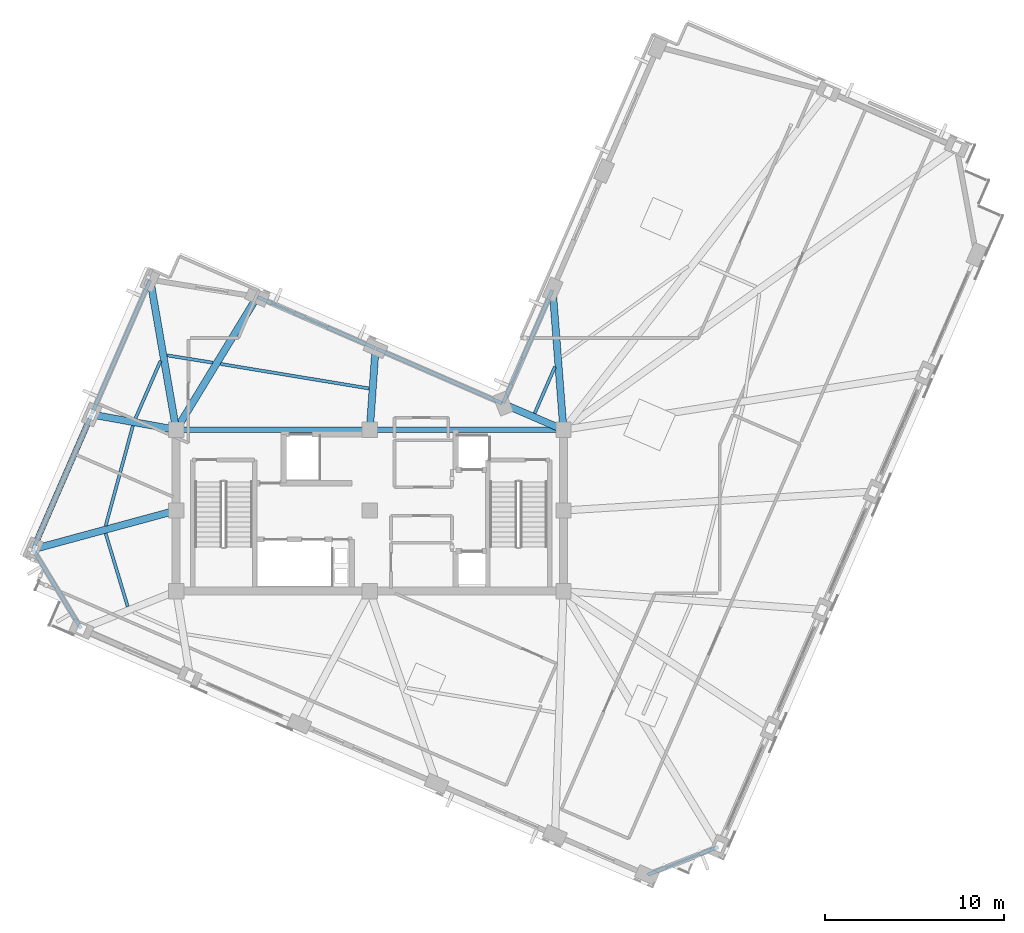
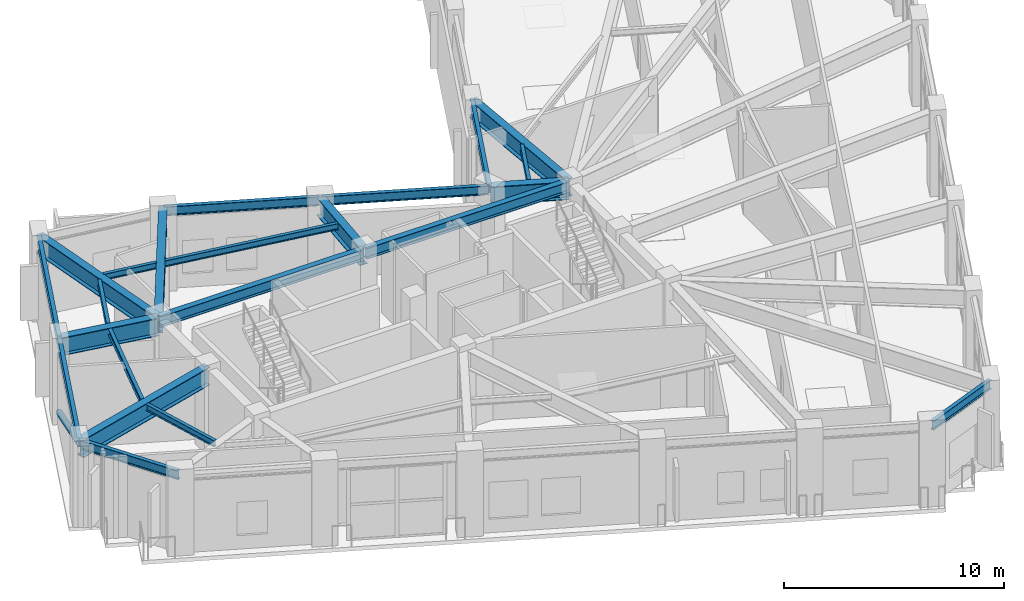
# One storey, part 3 of 16: 22 beams, 1 member.
"""IFC4 building model written with IfcOpenShell, lengths in metres."""

from ifc_helpers import new_model, si_unit, direction, frame, origin, origin_2d, place, context, subcontext, project, spatial, hollow_circle, i_section, extrude, material, material_profile, profile_set, type_object, element, save


model = new_model("IFC4")

# Units and contexts
model_context = context("Model", 3, precision=1e-05, world=origin(), true_north=direction((0.0, 1.0)))
body_context = subcontext(model_context, "Body", "Model", "MODEL_VIEW")
ifc_project = project(units=[si_unit("LENGTHUNIT", "METRE"), si_unit("AREAUNIT", "SQUARE_METRE"), si_unit("VOLUMEUNIT", "CUBIC_METRE"), si_unit("PLANEANGLEUNIT", "RADIAN"), si_unit("MASSUNIT", "GRAM", prefix="KILO")], contexts=[model_context])

# Site, building, storey
site_placement = place(None, origin())
site = spatial("IfcSite", under=ifc_project, at=site_placement, CompositionType="ELEMENT")
building_placement = place(site_placement, origin())
building = spatial("IfcBuilding", under=site, at=building_placement, Name="Gaonmaruhae Medical Tower", CompositionType="ELEMENT")
storey_placement = place(building_placement, frame((0.0, 0.0, 333.39990234375)))
storey = spatial("IfcBuildingStorey", under=building, at=storey_placement, Name="L80", CompositionType="ELEMENT", Elevation=333.39990234375)

# Beams
ifc_material_1 = material(Name="Steel SM420", Category="steel")
ifc_material_profile_1 = material_profile(ifc_material_1, i_section(OverallWidth=0.39990234375, OverallDepth=1.0, WebThickness=0.02197265625, FlangeThickness=0.035888671875, at=origin_2d()), Name="BH-1000x400x22x36")
ifc_profile_set_1 = profile_set([ifc_material_profile_1], Name="Steel SM420")
beam_type_1 = type_object("IfcBeamType", Name="BG-02 Refuge Floor Primary Girder (BH-1000x400x22x36)", PredefinedType="BEAM", material=ifc_profile_set_1)
beam_1_placement = place(storey_placement, frame((35.59619140625, 16.849853515625, 4.0), z_axis=(-0.076722992115, 0.997052447207, 0.0), x_axis=(-0.997052447207, -0.076722992115, 0.0)))
element("IfcBeam", 1, at=beam_1_placement, inside=storey, type_object=beam_type_1, Name="L80 Radial Primary Girder EN02", PredefinedType="BEAM", context=body_context, shape_type="SweptSolid", body=[
    extrude(i_section(OverallWidth=0.39990234375, OverallDepth=1.0, WebThickness=0.02197265625, FlangeThickness=0.035888671875, at=origin_2d()), origin(), (0.0, 0.0, 1.0), 7.751708984375),
])
beam_2_placement = place(storey_placement, frame((35.55419921875, 16.81982421875, 4.0), z_axis=(-0.918259431029, 0.395979314266, 0.0), x_axis=(-0.395979314266, -0.918259431029, 0.0)))
element("IfcBeam", 2, at=beam_2_placement, inside=storey, type_object=beam_type_1, Name="L80 Radial Primary Girder KN01", PredefinedType="BEAM", context=body_context, shape_type="SweptSolid", body=[
    extrude(i_section(OverallWidth=0.39990234375, OverallDepth=1.0, WebThickness=0.02197265625, FlangeThickness=0.035888671875, at=origin_2d()), origin(), (0.0, 0.0, 1.0), 3.57421875),
])
beam_3_placement = place(storey_placement, frame((24.803466796875, 16.849853515625, 4.0), z_axis=(0.070012845455, 0.997546089898, 0.0), x_axis=(-0.997546089898, 0.070012845455, 0.0)))
element("IfcBeam", 3, at=beam_3_placement, inside=storey, type_object=beam_type_1, Name="L80 Radial Primary Girder NE01", PredefinedType="BEAM", context=body_context, shape_type="SweptSolid", body=[
    extrude(i_section(OverallWidth=0.39990234375, OverallDepth=1.0, WebThickness=0.02197265625, FlangeThickness=0.035888671875, at=origin_2d()), origin(), (0.0, 0.0, 1.0), 4.45654296875),
])
beam_4_placement = place(storey_placement, frame((14.026123046875, 16.8427734375, 4.0), z_axis=(0.520106658264, 0.854101319534, 0.0), x_axis=(-0.854101319534, 0.520106658264, 0.0)))
element("IfcBeam", 4, at=beam_4_placement, inside=storey, type_object=beam_type_1, Name="L80 Radial Primary Girder NE02", PredefinedType="BEAM", context=body_context, shape_type="SweptSolid", body=[
    extrude(i_section(OverallWidth=0.39990234375, OverallDepth=1.0, WebThickness=0.02197265625, FlangeThickness=0.035888671875, at=origin_2d()), origin(), (0.0, 0.0, 1.0), 8.5830078125),
])
beam_5_placement = place(storey_placement, frame((13.991455078125, 16.849365234375, 4.0), z_axis=(-0.170256429826, 0.985399791, 0.0), x_axis=(-0.985399791, -0.170256429826, 0.0)))
element("IfcBeam", 5, at=beam_5_placement, inside=storey, type_object=beam_type_1, Name="L80 Radial Primary Girder N01", PredefinedType="BEAM", context=body_context, shape_type="SweptSolid", body=[
    extrude(i_section(OverallWidth=0.39990234375, OverallDepth=1.0, WebThickness=0.02197265625, FlangeThickness=0.035888671875, at=origin_2d()), origin(), (0.0, 0.0, 1.0), 8.397216796875),
])
beam_6_placement = place(storey_placement, frame((13.95068359375, 16.808837890625, 4.0), z_axis=(-0.984016905829, 0.17807506575, 0.0), x_axis=(-0.17807506575, -0.984016905829, 0.0)))
element("IfcBeam", 6, at=beam_6_placement, inside=storey, type_object=beam_type_1, Name="L80 Radial Primary Girder N02", PredefinedType="BEAM", context=body_context, shape_type="SweptSolid", body=[
    extrude(i_section(OverallWidth=0.39990234375, OverallDepth=1.0, WebThickness=0.02197265625, FlangeThickness=0.035888671875, at=origin_2d()), origin(), (0.0, 0.0, 1.0), 4.69287109375),
])
beam_7_placement = place(storey_placement, frame((13.95166015625, 12.286865234375, 4.0), z_axis=(-0.965122679795, -0.261798038467, 0.0), x_axis=(0.261798038467, -0.965122679795, 0.0)))
element("IfcBeam", 7, at=beam_7_placement, inside=storey, type_object=beam_type_1, Name="L80 Radial Primary Girder N03", PredefinedType="BEAM", context=body_context, shape_type="SweptSolid", body=[
    extrude(i_section(OverallWidth=0.39990234375, OverallDepth=1.0, WebThickness=0.02197265625, FlangeThickness=0.035888671875, at=origin_2d()), origin(), (0.0, 0.0, 1.0), 8.1748046875),
])
ifc_material_2 = material(Name="Steel SM355", Category="steel")
ifc_material_profile_2 = material_profile(ifc_material_2, i_section(OverallWidth=0.175048828125, OverallDepth=0.35009765625, WebThickness=0.007080078125, FlangeThickness=0.010986328125, FilletRadius=0.012939453125, at=origin_2d()), Name="H-350x175x7x11")
ifc_profile_set_2 = profile_set([ifc_material_profile_2], Name="Steel SM355")
beam_type_2 = type_object("IfcBeamType", Name="FJ-02 Upper Zone Ward Floor Joist (H-350x175x7x11)", PredefinedType="JOIST", material=ifc_profile_set_2)
beam_8_placement = place(storey_placement, frame((35.1259765625, 20.31689453125, 4.3251953125), z_axis=(-0.398704074368, -0.917079637263, 0.0), x_axis=(0.917079637263, -0.398704074368, 0.0)))
element("IfcBeam", 8, at=beam_8_placement, inside=storey, type_object=beam_type_2, Name="L80 Secondary Floor Joist FJ08", PredefinedType="JOIST", context=body_context, shape_type="SweptSolid", body=[
    extrude(i_section(OverallWidth=0.175048828125, OverallDepth=0.35009765625, WebThickness=0.007080078125, FlangeThickness=0.010986328125, FilletRadius=0.012939453125, at=origin_2d()), origin(), (0.0, 0.0, 1.0), 2.835693359375),
])
beam_9_placement = place(storey_placement, frame((24.75537109375, 19.106201171875, 4.3251953125), z_axis=(-0.986663894193, 0.162770881598, 0.0), x_axis=(-0.162770881598, -0.986663894193, 0.0)))
element("IfcBeam", 9, at=beam_9_placement, inside=storey, type_object=beam_type_2, Name="L80 Secondary Floor Joist FJ10", PredefinedType="JOIST", context=body_context, shape_type="SweptSolid", body=[
    extrude(i_section(OverallWidth=0.175048828125, OverallDepth=0.35009765625, WebThickness=0.007080078125, FlangeThickness=0.010986328125, FilletRadius=0.012939453125, at=origin_2d()), origin(), (0.0, 0.0, 1.0), 8.390380859375),
])
beam_10_placement = place(storey_placement, frame((16.038818359375, 20.543212890625, 4.3251953125), z_axis=(-0.987360795074, 0.158488675779, 0.0), x_axis=(-0.158488675779, -0.987360795074, 0.0)))
element("IfcBeam", 10, at=beam_10_placement, inside=storey, type_object=beam_type_2, Name="L80 Secondary Floor Joist FJ11", PredefinedType="JOIST", context=body_context, shape_type="SweptSolid", body=[
    extrude(i_section(OverallWidth=0.175048828125, OverallDepth=0.35009765625, WebThickness=0.007080078125, FlangeThickness=0.010986328125, FilletRadius=0.012939453125, at=origin_2d()), origin(), (0.0, 0.0, 1.0), 2.580322265625),
])
beam_11_placement = place(storey_placement, frame((13.12890625, 20.64697265625, 4.3251953125), z_axis=(-0.398746411425, -0.917061229895, 0.0), x_axis=(0.917061229895, -0.398746411425, 0.0)))
element("IfcBeam", 11, at=beam_11_placement, inside=storey, type_object=beam_type_2, Name="L80 Secondary Floor Joist FJ12", PredefinedType="JOIST", context=body_context, shape_type="SweptSolid", body=[
    extrude(i_section(OverallWidth=0.175048828125, OverallDepth=0.35009765625, WebThickness=0.007080078125, FlangeThickness=0.010986328125, FilletRadius=0.012939453125, at=origin_2d()), origin(), (0.0, 0.0, 1.0), 3.51806640625),
])
beam_12_placement = place(storey_placement, frame((11.58740234375, 17.027099609375, 4.3251953125), z_axis=(-0.262477989376, -0.964937979921, 0.0), x_axis=(0.964937979921, -0.262477989376, 0.0)))
element("IfcBeam", 12, at=beam_12_placement, inside=storey, type_object=beam_type_2, Name="L80 Secondary Floor Joist FJ13", PredefinedType="JOIST", context=body_context, shape_type="SweptSolid", body=[
    extrude(i_section(OverallWidth=0.175048828125, OverallDepth=0.35009765625, WebThickness=0.007080078125, FlangeThickness=0.010986328125, FilletRadius=0.012939453125, at=origin_2d()), origin(), (0.0, 0.0, 1.0), 5.78369140625),
])
beam_13_placement = place(storey_placement, frame((10.06640625, 11.01953125, 4.3251953125), z_axis=(0.289103701868, -0.957297785209, 0.0), x_axis=(0.957297785209, 0.289103701868, 0.0)))
element("IfcBeam", 13, at=beam_13_placement, inside=storey, type_object=beam_type_2, Name="L80 Secondary Floor Joist FJ14", PredefinedType="JOIST", context=body_context, shape_type="SweptSolid", body=[
    extrude(i_section(OverallWidth=0.175048828125, OverallDepth=0.35009765625, WebThickness=0.007080078125, FlangeThickness=0.010986328125, FilletRadius=0.012939453125, at=origin_2d()), origin(), (0.0, 0.0, 1.0), 4.259521484375),
])

# Member
ifc_material_profile_3 = material_profile(ifc_material_2, hollow_circle(Radius=0.1591796875, WallThickness=0.01025390625, at=origin_2d()), Name="CHS-318.5x10.3")
ifc_profile_set_3 = profile_set([ifc_material_profile_3], Name="Steel SM355")
member_type = type_object("IfcMemberType", Name="PB-03 Perimeter Solid-Bay Tube Brace Upper (CHS-318.5x10.3)", PredefinedType="BRACE", material=ifc_profile_set_3)
member_placement = place(storey_placement, frame((9.283447265625, 17.653564453125, 0.25), z_axis=(-0.358382126508, -0.824228049032, 0.43841803634), x_axis=(0.917061062653, -0.398746796056, 0.0)))
element("IfcMember", 14, at=member_placement, inside=storey, type_object=member_type, Name="L80 Perimeter Tube Solid-Bay Brace N02-N03", PredefinedType="BRACE", context=body_context, shape_type="SweptSolid", body=[
    extrude(hollow_circle(Radius=0.1591796875, WallThickness=0.01025390625, at=origin_2d()), origin(), (0.0, 0.0, 1.0), 9.123779296875),
])

# Beams
ifc_material_profile_4 = material_profile(ifc_material_1, i_section(OverallWidth=0.300048828125, OverallDepth=0.60009765625, WebThickness=0.011962890625, FlangeThickness=0.02001953125, FilletRadius=0.012939453125, at=origin_2d()), Name="H-600x300x12x20")
ifc_profile_set_4 = profile_set([ifc_material_profile_4], Name="Steel SM420")
beam_type_3 = type_object("IfcBeamType", Name="PG-04 Zone 4 Radial Floor Girder (H-600x300x12x20)", PredefinedType="BEAM", material=ifc_profile_set_4)
for number, where, z_axis, x_axis, name in (
    (15, (14.050048828125, 16.800048828125, 4.2001953125), (1.0, 0.0, 0.0), (0.0, 1.0, 0.0), "L80 Beam BM-L80-CG-N1"),
    (16, (24.85009765625, 16.800048828125, 4.2001953125), (1.0, 0.0, 0.0), (0.0, 1.0, 0.0), "L80 Beam BM-L80-CG-N2"),
):
    element("IfcBeam", number, at=place(storey_placement, frame(where, z_axis=z_axis, x_axis=x_axis)), inside=storey, type_object=beam_type_3, Name=name, PredefinedType="BEAM", context=body_context, shape_type="SweptSolid", body=[
        extrude(i_section(OverallWidth=0.300048828125, OverallDepth=0.60009765625, WebThickness=0.011962890625, FlangeThickness=0.02001953125, FilletRadius=0.012939453125, at=origin_2d()), origin(), (0.0, 0.0, 1.0), 10.699951171875),
    ])
ifc_material_profile_5 = material_profile(ifc_material_2, i_section(OverallWidth=0.199951171875, OverallDepth=0.5, WebThickness=0.010009765625, FlangeThickness=0.01611328125, FilletRadius=0.012939453125, at=origin_2d()), Name="H-500x200x10x16")
ifc_profile_set_5 = profile_set([ifc_material_profile_5], Name="Steel SM355")
beam_type_4 = type_object("IfcBeamType", Name="SP-02 Upper Perimeter Spandrel Beam (H-500x200x10x16)", PredefinedType="SPANDREL", material=ifc_profile_set_5)
beam_14_placement = place(storey_placement, frame((34.981689453125, 24.591796875, 4.25), z_axis=(-0.398768993563, -0.917051410649, 0.0), x_axis=(0.917051410649, -0.398768993563, 0.0)))
element("IfcBeam", 17, at=beam_14_placement, inside=storey, type_object=beam_type_4, Name="L80 Perimeter Spandrel Beam EN02-KN01", PredefinedType="SPANDREL", context=body_context, shape_type="SweptSolid", body=[
    extrude(i_section(OverallWidth=0.199951171875, OverallDepth=0.5, WebThickness=0.010009765625, FlangeThickness=0.01611328125, FilletRadius=0.012939453125, at=origin_2d()), origin(), (0.0, 0.0, 1.0), 6.869873046875),
])
beam_15_placement = place(storey_placement, frame((32.189453125, 18.27099609375, 4.25), z_axis=(-0.917059428629, 0.398750554059, 0.0), x_axis=(-0.398750554059, -0.917059428629, 0.0)))
element("IfcBeam", 18, at=beam_15_placement, inside=storey, type_object=beam_type_4, Name="L80 Perimeter Spandrel Beam KN01-NE01", PredefinedType="SPANDREL", context=body_context, shape_type="SweptSolid", body=[
    extrude(i_section(OverallWidth=0.199951171875, OverallDepth=0.5, WebThickness=0.010009765625, FlangeThickness=0.01611328125, FilletRadius=0.012939453125, at=origin_2d()), origin(), (0.0, 0.0, 1.0), 7.669921875),
])
beam_16_placement = place(storey_placement, frame((25.082275390625, 21.361083984375, 4.25), z_axis=(-0.917055336493, 0.398759965154, 0.0), x_axis=(-0.398759965154, -0.917055336493, 0.0)))
element("IfcBeam", 19, at=beam_16_placement, inside=storey, type_object=beam_type_4, Name="L80 Perimeter Spandrel Beam NE01-NE02", PredefinedType="SPANDREL", context=body_context, shape_type="SweptSolid", body=[
    extrude(i_section(OverallWidth=0.199951171875, OverallDepth=0.5, WebThickness=0.010009765625, FlangeThickness=0.01611328125, FilletRadius=0.012939453125, at=origin_2d()), origin(), (0.0, 0.0, 1.0), 7.119873046875),
])
for number, where, z_axis, x_axis, name in (
    (20, (12.537353515625, 25.13671875, 4.25), (-0.398743701995, -0.917062407974, 0.0), (0.917062407974, -0.398743701995, 0.0), "L80 Perimeter Spandrel Beam N01-N02"),
    (21, (9.267578125, 17.61669921875, 4.25), (-0.398743701995, -0.917062407974, 0.0), (0.917062407974, -0.398743701995, 0.0), "L80 Perimeter Spandrel Beam N02-N03"),
):
    element("IfcBeam", number, at=place(storey_placement, frame(where, z_axis=z_axis, x_axis=x_axis)), inside=storey, type_object=beam_type_4, Name=name, PredefinedType="SPANDREL", context=body_context, shape_type="SweptSolid", body=[
        extrude(i_section(OverallWidth=0.199951171875, OverallDepth=0.5, WebThickness=0.010009765625, FlangeThickness=0.01611328125, FilletRadius=0.012939453125, at=origin_2d()), origin(), (0.0, 0.0, 1.0), 8.119873046875),
    ])
beam_17_placement = place(storey_placement, frame((6.034423828125, 10.099365234375, 4.25), z_axis=(0.519289042516, -0.854598672081, 0.0), x_axis=(0.854598672081, 0.519289042516, 0.0)))
element("IfcBeam", 22, at=beam_17_placement, inside=storey, type_object=beam_type_4, Name="L80 Perimeter Spandrel Beam N03-W01", PredefinedType="SPANDREL", context=body_context, shape_type="SweptSolid", body=[
    extrude(i_section(OverallWidth=0.199951171875, OverallDepth=0.5, WebThickness=0.010009765625, FlangeThickness=0.01611328125, FilletRadius=0.012939453125, at=origin_2d()), origin(), (0.0, 0.0, 1.0), 5.122314453125),
])
beam_18_placement = place(storey_placement, frame((40.299072265625, -8.0146484375, 4.25), z_axis=(0.930416736169, 0.366503338397, 0.0), x_axis=(-0.366503338397, 0.930416736169, 0.0)))
element("IfcBeam", 23, at=beam_18_placement, inside=storey, type_object=beam_type_4, Name="L80 Perimeter Spandrel Beam W06-S01", PredefinedType="SPANDREL", context=body_context, shape_type="SweptSolid", body=[
    extrude(i_section(OverallWidth=0.199951171875, OverallDepth=0.5, WebThickness=0.010009765625, FlangeThickness=0.01611328125, FilletRadius=0.012939453125, at=origin_2d()), origin(), (0.0, 0.0, 1.0), 4.2333984375),
])

save(model, "model.ifc")
